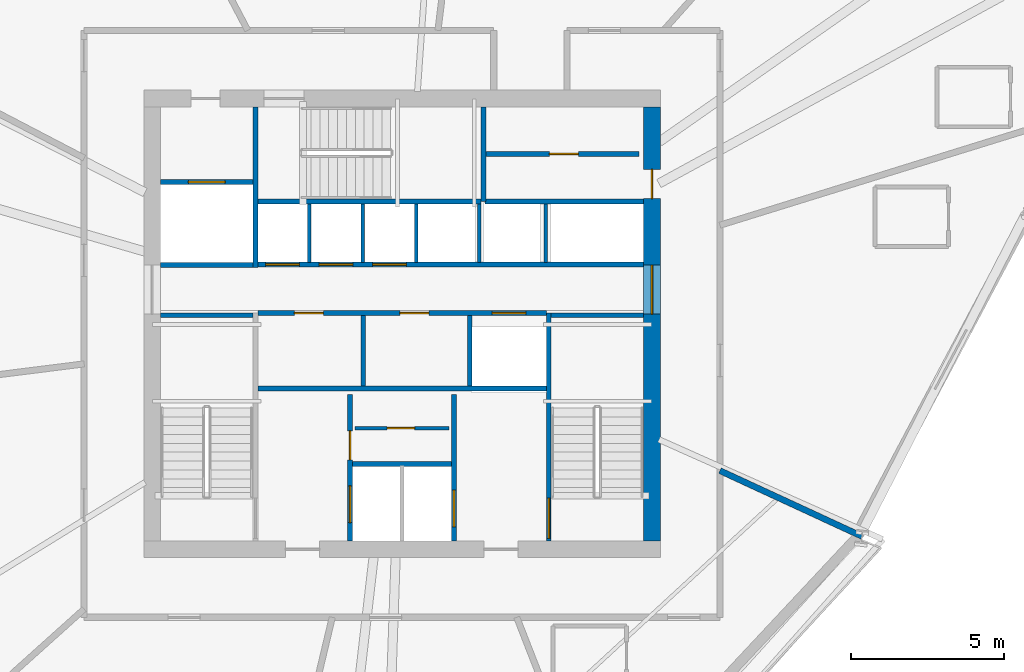
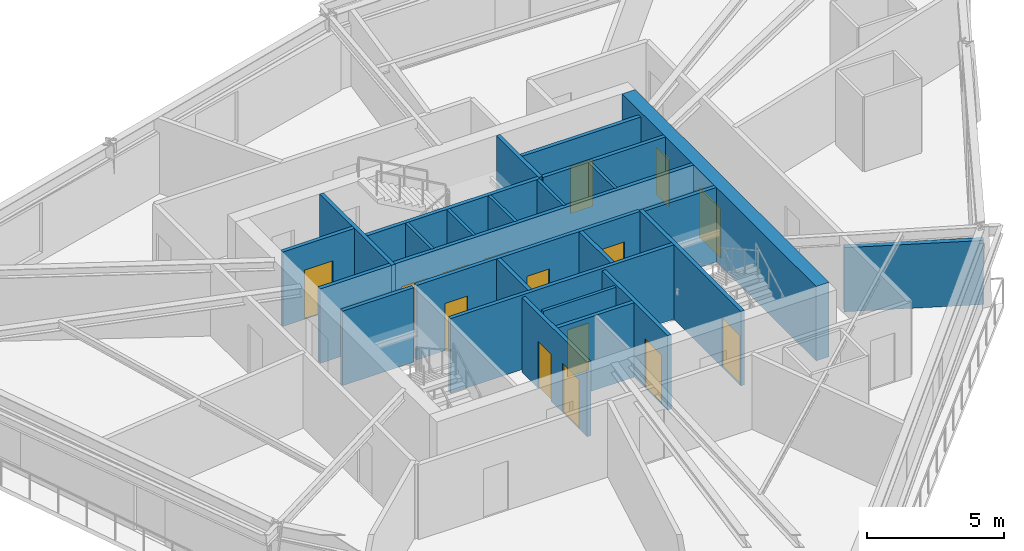
# One storey, part 10 of 15: 26 walls, 15 doors, 15 openings.
"""IFC4 building model written with IfcOpenShell, lengths in metres."""

from ifc_helpers import new_model, si_unit, direction, frame, frame_2d, origin, place, context, subcontext, project, spatial, rectangle, extrude, source, transform, mapped, material, layer, layer_set, type_object, type_shapes, element, fill, save


model = new_model("IFC4")

# Units and contexts
model_context = context("Model", 3, precision=1e-05, world=origin(), true_north=direction((0.0, 1.0)))
body_context = subcontext(model_context, "Body", "Model", "MODEL_VIEW")
ifc_project = project(units=[si_unit("LENGTHUNIT", "METRE"), si_unit("AREAUNIT", "SQUARE_METRE"), si_unit("VOLUMEUNIT", "CUBIC_METRE"), si_unit("PLANEANGLEUNIT", "RADIAN"), si_unit("MASSUNIT", "GRAM", prefix="KILO")], contexts=[model_context])

# Site, building, storey
site_placement = place(None, origin())
site = spatial("IfcSite", under=ifc_project, at=site_placement, CompositionType="ELEMENT")
building_placement = place(site_placement, origin())
building = spatial("IfcBuilding", under=site, at=building_placement, Name="Olszyna Solenne Hotel", CompositionType="ELEMENT")
storey_placement = place(building_placement, frame((0.0, 0.0, 160.800048828125)))
storey = spatial("IfcBuildingStorey", under=building, at=storey_placement, Name="L42", CompositionType="ELEMENT", Elevation=160.800048828125)

# Wall, openings, doors
ifc_material_1 = material(Name="Concrete C50/60", Category="concrete")
ifc_layer_1 = layer(ifc_material_1, 0.550048828125, Name="Concrete C50/60")
ifc_layer_set_1 = layer_set([ifc_layer_1], Name="Concrete C50/60")
wall_type_1 = type_object("IfcWallType", Name="WL-CR550", PredefinedType="SHEAR", material=ifc_layer_set_1)
wall_1_placement = place(storey_placement, frame((46.175048828125, 33.699951171875, 0.0), z_axis=(0.0, 0.0, 1.0), x_axis=(0.0, -1.0, 0.0)))
wall_1 = element("IfcWall", 1, at=wall_1_placement, inside=storey, type_object=wall_type_1, Name="Core shear wall WL-CR550 CRW-L42-E", PredefinedType="SHEAR", context=body_context, shape_type="SweptSolid", body=[
    extrude(rectangle(XDim=14.199951171875, YDim=0.550048828125, at=frame_2d((7.10009765625, 0.0))), origin(), (0.0, 0.0, 1.0), 3.329833984375),
])
opening_1_placement = place(wall_1_placement, frame((5.179931640625, 0.0, 0.0)))
opening_1 = element("IfcOpeningElement", 2, at=opening_1_placement, cuts=wall_1, Name="Opening LHD-L42-E", PredefinedType="OPENING", context=body_context, shape_type="SweptSolid", body=[
    extrude(rectangle(XDim=1.60009765625, YDim=2.199951171875, at=frame_2d((0.800048828125, 1.10009765625))), frame((0.0, 0.28515625, 0.0), z_axis=(0.0, -1.0, 0.0), x_axis=(1.0, 0.0, 0.0)), (0.0, 0.0, 1.0), 0.570068359375),
])
opening_2_placement = place(wall_1_placement, frame((2.050048828125, 0.0, 0.0)))
opening_2 = element("IfcOpeningElement", 3, at=opening_2_placement, cuts=wall_1, Name="Opening SVD-L42-BE", PredefinedType="OPENING", context=body_context, shape_type="SweptSolid", body=[
    extrude(rectangle(XDim=0.949951171875, YDim=2.10009765625, at=frame_2d((0.47509765625, 1.050048828125))), frame((0.0, 0.28515625, 0.0), z_axis=(0.0, -1.0, 0.0), x_axis=(1.0, 0.0, 0.0)), (0.0, 0.0, 1.0), 0.570068359375),
])
ifc_material_2 = material(Name="Steel S355J2", Category="steel")
door_type_1 = type_object("IfcDoorType", Name="DR-SV1", OperationType="NOTDEFINED", PredefinedType="DOOR", material=ifc_material_2)
shared_shape_1 = source(origin(), body_context, "Body", "SweptSolid", [
    extrude(rectangle(XDim=0.949951171875, YDim=2.10009765625, at=frame_2d((0.47509765625, 1.050048828125))), frame((0.0, 0.02490234375, 0.0), z_axis=(0.0, -1.0, 0.0), x_axis=(1.0, 0.0, 0.0)), (0.0, 0.0, 1.0), 0.050048828125),
])
type_shapes(door_type_1, [shared_shape_1])
door_1_placement = place(opening_2_placement, origin())
door_1 = element("IfcDoor", 4, at=door_1_placement, inside=storey, type_object=door_type_1, Name="Housekeeping core fire door SVD-L42-BE", OperationType="SINGLE_SWING_RIGHT", OverallHeight=2.10009765625, OverallWidth=0.949951171875, PredefinedType="DOOR", context=body_context, shape_type="MappedRepresentation", body=[
    mapped(shared_shape_1, transform((0.0, 0.0, 0.0), x_axis=(1.0, 0.0, 0.0), y_axis=(0.0, 1.0, 0.0), z_axis=(0.0, 0.0, 1.0), scale=1.0)),
])
fill(opening_2, door_1)
ifc_material_3 = material(Name="Timber hardwood", Category="wood")
door_type_2 = type_object("IfcDoorType", Name="DR-CR1", OperationType="DOUBLE_DOOR_SINGLE_SWING", PredefinedType="DOOR", material=ifc_material_3)
shared_shape_2 = source(origin(), body_context, "Body", "SweptSolid", [
    extrude(rectangle(XDim=1.60009765625, YDim=2.199951171875, at=frame_2d((0.800048828125, 1.10009765625))), frame((0.0, 0.02490234375, 0.0), z_axis=(0.0, -1.0, 0.0), x_axis=(1.0, 0.0, 0.0)), (0.0, 0.0, 1.0), 0.050048828125),
])
type_shapes(door_type_2, [shared_shape_2])
door_2_placement = place(opening_1_placement, origin())
door_2 = element("IfcDoor", 5, at=door_2_placement, inside=storey, type_object=door_type_2, Name="Passenger lift lobby East fire door LHD-L42-E", OperationType="DOUBLE_DOOR_SINGLE_SWING", OverallHeight=2.199951171875, OverallWidth=1.60009765625, PredefinedType="DOOR", context=body_context, shape_type="MappedRepresentation", body=[
    mapped(shared_shape_2, transform((0.0, 0.0, 0.0), x_axis=(1.0, 0.0, 0.0), y_axis=(0.0, 1.0, 0.0), z_axis=(0.0, 0.0, 1.0), scale=1.0)),
])
fill(opening_1, door_2)

# Wall, opening, door
ifc_material_4 = material(Name="Acoustic gypsum partition", Category="gypsum")
ifc_layer_2 = layer(ifc_material_4, 0.125, Name="Acoustic gypsum partition")
ifc_layer_set_2 = layer_set([ifc_layer_2], Name="Acoustic gypsum partition")
wall_type_2 = type_object("IfcWallType", Name="WL-PT125", PredefinedType="PARTITIONING", material=ifc_layer_set_2)
wall_2_placement = place(storey_placement, frame((36.4599609375, 23.18603515625, 0.0), z_axis=(0.0, 0.0, 1.0), x_axis=(1.0, 0.0, 0.0)))
wall_2 = element("IfcWall", 6, at=wall_2_placement, inside=storey, type_object=wall_type_2, Name="Core shaft compartment wall CW-L42-SC2", PredefinedType="PARTITIONING", context=body_context, shape_type="SweptSolid", body=[
    extrude(rectangle(XDim=3.080078125, YDim=0.125, at=frame_2d((1.5400390625, 0.0))), origin(), (0.0, 0.0, 1.0), 3.329833984375),
])
opening_3_placement = place(wall_2_placement, frame((1.050048828125, 0.0, 0.0)))
opening_3 = element("IfcOpeningElement", 7, at=opening_3_placement, cuts=wall_2, Name="Opening SVD-L42-SC2", PredefinedType="OPENING", context=body_context, shape_type="SweptSolid", body=[
    extrude(rectangle(XDim=0.89990234375, YDim=2.10009765625, at=frame_2d((0.449951171875, 1.050048828125))), frame((0.0, 0.072509765625, 0.0), z_axis=(0.0, -1.0, 0.0), x_axis=(1.0, 0.0, 0.0)), (0.0, 0.0, 1.0), 0.14501953125),
])
door_type_3 = type_object("IfcDoorType", Name="DR-WC1", OperationType="NOTDEFINED", PredefinedType="DOOR", material=ifc_material_3)
shared_shape_3 = source(origin(), body_context, "Body", "SweptSolid", [
    extrude(rectangle(XDim=0.89990234375, YDim=2.10009765625, at=frame_2d((0.449951171875, 1.050048828125))), frame((0.0, 0.02490234375, 0.0), z_axis=(0.0, -1.0, 0.0), x_axis=(1.0, 0.0, 0.0)), (0.0, 0.0, 1.0), 0.050048828125),
])
type_shapes(door_type_3, [shared_shape_3])
door_3_placement = place(opening_3_placement, origin())
door_3 = element("IfcDoor", 8, at=door_3_placement, inside=storey, type_object=door_type_3, Name="Butler pantry door SVD-L42-SC2", OperationType="SINGLE_SWING_RIGHT", OverallHeight=2.10009765625, OverallWidth=0.89990234375, PredefinedType="DOOR", context=body_context, shape_type="MappedRepresentation", body=[
    mapped(shared_shape_3, transform((0.0, 0.0, 0.0), x_axis=(1.0, 0.0, 0.0), y_axis=(0.0, 1.0, 0.0), z_axis=(0.0, 0.0, 1.0), scale=1.0)),
])
fill(opening_3, door_3)

# Walls
for number, where, z_axis, x_axis, name in (
    (9, (34.965087890625, 28.60009765625, 0.0), (0.0, 0.0, 1.0), (0.0, 1.0, 0.0), "Core shaft compartment wall CW-L42-DIVN349"),
    (10, (36.715087890625, 28.60009765625, 0.0), (0.0, 0.0, 1.0), (0.0, 1.0, 0.0), "Core shaft compartment wall CW-L42-DIVN367"),
    (11, (38.465087890625, 28.60009765625, 0.0), (0.0, 0.0, 1.0), (0.0, 1.0, 0.0), "Core shaft compartment wall CW-L42-DIVN384"),
    (12, (40.52490234375, 28.60009765625, 0.0), (0.0, 0.0, 1.0), (0.0, 1.0, 0.0), "Core shaft compartment wall CW-L42-DIVEX405"),
    (13, (42.699951171875, 28.60009765625, 0.0), (0.0, 0.0, 1.0), (0.0, 1.0, 0.0), "Core shaft compartment wall CW-L42-DIVEX427"),
):
    element("IfcWall", number, at=place(storey_placement, frame(where, z_axis=z_axis, x_axis=x_axis)), inside=storey, type_object=wall_type_2, Name=name, PredefinedType="PARTITIONING", context=body_context, shape_type="SweptSolid", body=[
        extrude(rectangle(XDim=1.919921875, YDim=0.125, at=frame_2d((0.9599609375, 0.0))), origin(), (0.0, 0.0, 1.0), 3.329833984375),
    ])
ifc_layer_3 = layer(ifc_material_4, 0.159912109375, Name="Acoustic gypsum partition")
ifc_layer_set_3 = layer_set([ifc_layer_3], Name="Acoustic gypsum partition")
wall_type_3 = type_object("IfcWallType", Name="WL-PT160", PredefinedType="PARTITIONING", material=ifc_layer_set_3)
wall_3_placement = place(storey_placement, frame((30.10009765625, 26.8798828125, 0.0), z_axis=(0.0, 0.0, 1.0), x_axis=(1.0, 0.0, 0.0)))
element("IfcWall", 14, at=wall_3_placement, inside=storey, type_object=wall_type_3, Name="Core shaft compartment wall CW-L42-ST1N", PredefinedType="PARTITIONING", context=body_context, shape_type="SweptSolid", body=[
    extrude(rectangle(XDim=3.02001953125, YDim=0.159912109375, at=frame_2d((1.510009765625, 0.0))), origin(), (0.0, 0.0, 1.0), 3.329833984375),
])

# Wall, opening, door
wall_4_placement = place(storey_placement, frame((42.800048828125, 26.9599609375, 0.0), z_axis=(0.0, 0.0, 1.0), x_axis=(0.0, -1.0, 0.0)))
wall_4 = element("IfcWall", 15, at=wall_4_placement, inside=storey, type_object=wall_type_3, Name="Core shaft compartment wall CW-L42-ST2W", PredefinedType="PARTITIONING", context=body_context, shape_type="SweptSolid", body=[
    extrude(rectangle(XDim=7.4599609375, YDim=0.159912109375, at=frame_2d((3.72998046875, 0.0))), origin(), (0.0, 0.0, 1.0), 3.329833984375),
])
opening_4_placement = place(wall_4_placement, frame((6.06005859375, 0.0, 0.0)))
opening_4 = element("IfcOpeningElement", 16, at=opening_4_placement, cuts=wall_4, Name="Opening STD-L42-02", PredefinedType="OPENING", context=body_context, shape_type="SweptSolid", body=[
    extrude(rectangle(XDim=1.320068359375, YDim=2.199951171875, at=frame_2d((0.66015625, 1.10009765625))), frame((0.0, 0.08984375, 0.0), z_axis=(0.0, -1.0, 0.0), x_axis=(1.0, 0.0, 0.0)), (0.0, 0.0, 1.0), 0.179931640625),
])
door_type_4 = type_object("IfcDoorType", Name="DR-ST1", OperationType="NOTDEFINED", PredefinedType="DOOR", material=ifc_material_2)
shared_shape_4 = source(origin(), body_context, "Body", "SweptSolid", [
    extrude(rectangle(XDim=1.320068359375, YDim=2.199951171875, at=frame_2d((0.66015625, 1.10009765625))), frame((0.0, 0.02490234375, 0.0), z_axis=(0.0, -1.0, 0.0), x_axis=(1.0, 0.0, 0.0)), (0.0, 0.0, 1.0), 0.050048828125),
])
type_shapes(door_type_4, [shared_shape_4])
door_4_placement = place(opening_4_placement, origin())
door_4 = element("IfcDoor", 17, at=door_4_placement, inside=storey, type_object=door_type_4, Name="Pressurised exit stair ST2 fire door STD-L42-02", OperationType="SINGLE_SWING_RIGHT", OverallHeight=2.199951171875, OverallWidth=1.320068359375, PredefinedType="DOOR", context=body_context, shape_type="MappedRepresentation", body=[
    mapped(shared_shape_4, transform((0.0, 0.0, 0.0), x_axis=(1.0, 0.0, 0.0), y_axis=(0.0, 1.0, 0.0), z_axis=(0.0, 0.0, 1.0), scale=1.0)),
])
fill(opening_4, door_4)

# Walls
wall_5_placement = place(storey_placement, frame((42.8798828125, 26.8798828125, 0.0), z_axis=(0.0, 0.0, 1.0), x_axis=(1.0, 0.0, 0.0)))
element("IfcWall", 18, at=wall_5_placement, inside=storey, type_object=wall_type_3, Name="Core shaft compartment wall CW-L42-ST2N", PredefinedType="PARTITIONING", context=body_context, shape_type="SweptSolid", body=[
    extrude(rectangle(XDim=3.02001953125, YDim=0.159912109375, at=frame_2d((1.510009765625, 0.0))), origin(), (0.0, 0.0, 1.0), 3.329833984375),
])
wall_6_placement = place(storey_placement, frame((33.280029296875, 30.60009765625, 0.0), z_axis=(0.0, 0.0, 1.0), x_axis=(1.0, 0.0, 0.0)))
element("IfcWall", 19, at=wall_6_placement, inside=storey, type_object=wall_type_3, Name="Core shaft compartment wall CW-L42-ST3S", PredefinedType="PARTITIONING", context=body_context, shape_type="SweptSolid", body=[
    extrude(rectangle(XDim=7.300048828125, YDim=0.159912109375, at=frame_2d((3.64990234375, 0.0))), origin(), (0.0, 0.0, 1.0), 3.329833984375),
])
wall_7_placement = place(storey_placement, frame((40.659912109375, 30.60009765625, 0.0), z_axis=(0.0, 0.0, 1.0), x_axis=(0.0, 1.0, 0.0)))
element("IfcWall", 20, at=wall_7_placement, inside=storey, type_object=wall_type_3, Name="Core shaft compartment wall CW-L42-ST3E", PredefinedType="PARTITIONING", context=body_context, shape_type="SweptSolid", body=[
    extrude(rectangle(XDim=3.099853515625, YDim=0.159912109375, at=frame_2d((1.5498046875, 0.0))), origin(), (0.0, 0.0, 1.0), 3.329833984375),
])

# Wall, openings, doors
wall_8_placement = place(storey_placement, frame((36.300048828125, 19.5, 0.0), z_axis=(0.0, 0.0, 1.0), x_axis=(0.0, 1.0, 0.0)))
wall_8 = element("IfcWall", 21, at=wall_8_placement, inside=storey, type_object=wall_type_3, Name="Core shaft compartment wall CW-L42-FF1W", PredefinedType="PARTITIONING", context=body_context, shape_type="SweptSolid", body=[
    extrude(rectangle(XDim=4.780029296875, YDim=0.159912109375, at=frame_2d((2.39013671875, 0.0))), origin(), (0.0, 0.0, 1.0), 3.329833984375),
])
opening_5_placement = place(wall_8_placement, frame((0.60009765625, 0.0, 0.0)))
opening_5 = element("IfcOpeningElement", 22, at=opening_5_placement, cuts=wall_8, Name="Opening LD-L42-FF1", PredefinedType="OPENING", context=body_context, shape_type="SweptSolid", body=[
    extrude(rectangle(XDim=1.199951171875, YDim=2.199951171875, at=frame_2d((0.60009765625, 1.10009765625))), frame((0.0, 0.08984375, 0.0), z_axis=(0.0, -1.0, 0.0), x_axis=(1.0, 0.0, 0.0)), (0.0, 0.0, 1.0), 0.179931640625),
])
opening_6_placement = place(wall_8_placement, frame((2.64990234375, 0.0, 0.0)))
opening_6 = element("IfcOpeningElement", 23, at=opening_6_placement, cuts=wall_8, Name="Opening SVD-L42-SMK", PredefinedType="OPENING", context=body_context, shape_type="SweptSolid", body=[
    extrude(rectangle(XDim=0.949951171875, YDim=2.10009765625, at=frame_2d((0.47509765625, 1.050048828125))), frame((0.0, 0.08984375, 0.0), z_axis=(0.0, -1.0, 0.0), x_axis=(1.0, 0.0, 0.0)), (0.0, 0.0, 1.0), 0.179931640625),
])
door_5_placement = place(opening_6_placement, origin())
door_5 = element("IfcDoor", 24, at=door_5_placement, inside=storey, type_object=door_type_1, Name="Valet and core service room door SVD-L42-SMK", OperationType="SINGLE_SWING_LEFT", OverallHeight=2.10009765625, OverallWidth=0.949951171875, PredefinedType="DOOR", context=body_context, shape_type="MappedRepresentation", body=[
    mapped(shared_shape_1, transform((0.0, 0.0, 0.0), x_axis=(1.0, 0.0, 0.0), y_axis=(0.0, 1.0, 0.0), z_axis=(0.0, 0.0, 1.0), scale=1.0)),
])
fill(opening_6, door_5)
door_type_5 = type_object("IfcDoorType", Name="LD-FF1", OperationType="DOUBLE_DOOR_SLIDING", PredefinedType="DOOR", material=ifc_material_2)
shared_shape_5 = source(origin(), body_context, "Body", "SweptSolid", [
    extrude(rectangle(XDim=1.199951171875, YDim=2.199951171875, at=frame_2d((0.60009765625, 1.10009765625))), frame((0.0, 0.02490234375, 0.0), z_axis=(0.0, -1.0, 0.0), x_axis=(1.0, 0.0, 0.0)), (0.0, 0.0, 1.0), 0.050048828125),
])
type_shapes(door_type_5, [shared_shape_5])
door_6_placement = place(opening_5_placement, origin())
door_6 = element("IfcDoor", 25, at=door_6_placement, inside=storey, type_object=door_type_5, Name="Firefighters lift FF1 sliding landing door LD-L42-FF1", OperationType="DOUBLE_DOOR_SLIDING", OverallHeight=2.199951171875, OverallWidth=1.199951171875, PredefinedType="DOOR", context=body_context, shape_type="MappedRepresentation", body=[
    mapped(shared_shape_5, transform((0.0, 0.0, 0.0), x_axis=(1.0, 0.0, 0.0), y_axis=(0.0, 1.0, 0.0), z_axis=(0.0, 0.0, 1.0), scale=1.0)),
])
fill(opening_5, door_6)

# Wall, opening, door
wall_9_placement = place(storey_placement, frame((39.699951171875, 24.280029296875, 0.0), z_axis=(0.0, 0.0, 1.0), x_axis=(0.0, -1.0, 0.0)))
wall_9 = element("IfcWall", 26, at=wall_9_placement, inside=storey, type_object=wall_type_3, Name="Core shaft compartment wall CW-L42-FF2E", PredefinedType="PARTITIONING", context=body_context, shape_type="SweptSolid", body=[
    extrude(rectangle(XDim=4.780029296875, YDim=0.159912109375, at=frame_2d((2.39013671875, 0.0))), origin(), (0.0, 0.0, 1.0), 3.329833984375),
])
opening_7_placement = place(wall_9_placement, frame((3.1201171875, 0.0, 0.0)))
opening_7 = element("IfcOpeningElement", 27, at=opening_7_placement, cuts=wall_9, Name="Opening LD-L42-FF2", PredefinedType="OPENING", context=body_context, shape_type="SweptSolid", body=[
    extrude(rectangle(XDim=1.199951171875, YDim=2.199951171875, at=frame_2d((0.60009765625, 1.10009765625))), frame((0.0, 0.08984375, 0.0), z_axis=(0.0, -1.0, 0.0), x_axis=(1.0, 0.0, 0.0)), (0.0, 0.0, 1.0), 0.179931640625),
])
door_7_placement = place(opening_7_placement, origin())
door_7 = element("IfcDoor", 28, at=door_7_placement, inside=storey, type_object=door_type_5, Name="Firefighters lift FF2 sliding landing door LD-L42-FF2", OperationType="DOUBLE_DOOR_SLIDING", OverallHeight=2.199951171875, OverallWidth=1.199951171875, PredefinedType="DOOR", context=body_context, shape_type="MappedRepresentation", body=[
    mapped(shared_shape_5, transform((0.0, 0.0, 0.0), x_axis=(1.0, 0.0, 0.0), y_axis=(0.0, 1.0, 0.0), z_axis=(0.0, 0.0, 1.0), scale=1.0)),
])
fill(opening_7, door_7)

# Walls
wall_10_placement = place(storey_placement, frame((36.3798828125, 22.02001953125, 0.0), z_axis=(0.0, 0.0, 1.0), x_axis=(1.0, 0.0, 0.0)))
element("IfcWall", 29, at=wall_10_placement, inside=storey, type_object=wall_type_3, Name="Core shaft compartment wall CW-L42-FFN", PredefinedType="PARTITIONING", context=body_context, shape_type="SweptSolid", body=[
    extrude(rectangle(XDim=3.240234375, YDim=0.159912109375, at=frame_2d((1.6201171875, 0.0))), origin(), (0.0, 0.0, 1.0), 3.329833984375),
])
wall_11_placement = place(storey_placement, frame((33.280029296875, 24.489990234375, 0.0), z_axis=(0.0, 0.0, 1.0), x_axis=(1.0, 0.0, 0.0)))
element("IfcWall", 30, at=wall_11_placement, inside=storey, type_object=wall_type_3, Name="Core shaft compartment wall CW-L42-FFBN", PredefinedType="PARTITIONING", context=body_context, shape_type="SweptSolid", body=[
    extrude(rectangle(XDim=9.43994140625, YDim=0.159912109375, at=frame_2d((4.719970703125, 0.0))), origin(), (0.0, 0.0, 1.0), 3.329833984375),
])
wall_12_placement = place(storey_placement, frame((30.10009765625, 28.52001953125, 0.0), z_axis=(0.0, 0.0, 1.0), x_axis=(1.0, 0.0, 0.0)))
element("IfcWall", 31, at=wall_12_placement, inside=storey, type_object=wall_type_3, Name="Core shaft compartment wall CW-L42-SV1S", PredefinedType="PARTITIONING", context=body_context, shape_type="SweptSolid", body=[
    extrude(rectangle(XDim=3.02001953125, YDim=0.159912109375, at=frame_2d((1.510009765625, 0.0))), origin(), (0.0, 0.0, 1.0), 3.329833984375),
])
wall_13_placement = place(storey_placement, frame((33.199951171875, 28.43994140625, 0.0), z_axis=(0.0, 0.0, 1.0), x_axis=(0.0, 1.0, 0.0)))
element("IfcWall", 32, at=wall_13_placement, inside=storey, type_object=wall_type_3, Name="Core shaft compartment wall CW-L42-SV1E", PredefinedType="PARTITIONING", context=body_context, shape_type="SweptSolid", body=[
    extrude(rectangle(XDim=5.260009765625, YDim=0.159912109375, at=frame_2d((2.6298828125, 0.0))), origin(), (0.0, 0.0, 1.0), 3.329833984375),
])

# Wall, opening, door
wall_14_placement = place(storey_placement, frame((30.10009765625, 31.239990234375, 0.0), z_axis=(0.0, 0.0, 1.0), x_axis=(1.0, 0.0, 0.0)))
wall_14 = element("IfcWall", 33, at=wall_14_placement, inside=storey, type_object=wall_type_3, Name="Core shaft compartment wall CW-L42-SV1N", PredefinedType="PARTITIONING", context=body_context, shape_type="SweptSolid", body=[
    extrude(rectangle(XDim=3.02001953125, YDim=0.159912109375, at=frame_2d((1.510009765625, 0.0))), origin(), (0.0, 0.0, 1.0), 3.329833984375),
])
opening_8_placement = place(wall_14_placement, frame((0.909912109375, 0.0, 0.0)))
opening_8 = element("IfcOpeningElement", 34, at=opening_8_placement, cuts=wall_14, Name="Opening LD-L42-SV1", PredefinedType="OPENING", context=body_context, shape_type="SweptSolid", body=[
    extrude(rectangle(XDim=1.199951171875, YDim=2.199951171875, at=frame_2d((0.60009765625, 1.10009765625))), frame((0.0, 0.08984375, 0.0), z_axis=(0.0, -1.0, 0.0), x_axis=(1.0, 0.0, 0.0)), (0.0, 0.0, 1.0), 0.179931640625),
])
door_8_placement = place(opening_8_placement, origin())
door_8 = element("IfcDoor", 35, at=door_8_placement, inside=storey, type_object=door_type_5, Name="Service lift SV1 sliding landing door LD-L42-SV1", OperationType="DOUBLE_DOOR_SLIDING", OverallHeight=2.199951171875, OverallWidth=1.199951171875, PredefinedType="DOOR", context=body_context, shape_type="MappedRepresentation", body=[
    mapped(shared_shape_5, transform((0.0, 0.0, 0.0), x_axis=(1.0, 0.0, 0.0), y_axis=(0.0, 1.0, 0.0), z_axis=(0.0, 0.0, 1.0), scale=1.0)),
])
fill(opening_8, door_8)

# Wall, openings, doors
wall_15_placement = place(storey_placement, frame((33.280029296875, 26.949951171875, 0.0), z_axis=(0.0, 0.0, 1.0), x_axis=(1.0, 0.0, 0.0)))
wall_15 = element("IfcWall", 36, at=wall_15_placement, inside=storey, type_object=wall_type_3, Name="Core shaft compartment wall CW-L42-LRS", PredefinedType="PARTITIONING", context=body_context, shape_type="SweptSolid", body=[
    extrude(rectangle(XDim=9.43994140625, YDim=0.159912109375, at=frame_2d((4.719970703125, 0.0))), origin(), (0.0, 0.0, 1.0), 3.329833984375),
])
opening_9_placement = place(wall_15_placement, frame((1.199951171875, 0.0, 0.0)))
opening_9 = element("IfcOpeningElement", 37, at=opening_9_placement, cuts=wall_15, Name="Opening SVD-L42-L71", PredefinedType="OPENING", context=body_context, shape_type="SweptSolid", body=[
    extrude(rectangle(XDim=0.949951171875, YDim=2.10009765625, at=frame_2d((0.47509765625, 1.050048828125))), frame((0.0, 0.08984375, 0.0), z_axis=(0.0, -1.0, 0.0), x_axis=(1.0, 0.0, 0.0)), (0.0, 0.0, 1.0), 0.179931640625),
])
opening_10_placement = place(wall_15_placement, frame((4.64990234375, 0.0, 0.0)))
opening_10 = element("IfcOpeningElement", 38, at=opening_10_placement, cuts=wall_15, Name="Opening SVD-L42-L72", PredefinedType="OPENING", context=body_context, shape_type="SweptSolid", body=[
    extrude(rectangle(XDim=0.949951171875, YDim=2.10009765625, at=frame_2d((0.47509765625, 1.050048828125))), frame((0.0, 0.08984375, 0.0), z_axis=(0.0, -1.0, 0.0), x_axis=(1.0, 0.0, 0.0)), (0.0, 0.0, 1.0), 0.179931640625),
])
opening_11_placement = place(wall_15_placement, frame((7.669921875, 0.0, 0.0)))
opening_11 = element("IfcOpeningElement", 39, at=opening_11_placement, cuts=wall_15, Name="Opening LD-L42-PL5", PredefinedType="OPENING", context=body_context, shape_type="SweptSolid", body=[
    extrude(rectangle(XDim=1.10009765625, YDim=2.199951171875, at=frame_2d((0.550048828125, 1.10009765625))), frame((0.0, 0.08984375, 0.0), z_axis=(0.0, -1.0, 0.0), x_axis=(1.0, 0.0, 0.0)), (0.0, 0.0, 1.0), 0.179931640625),
])
door_9_placement = place(opening_9_placement, origin())
door_9 = element("IfcDoor", 40, at=door_9_placement, inside=storey, type_object=door_type_1, Name="Recaptured core room fire door SVD-L42-L71", OperationType="SINGLE_SWING_LEFT", OverallHeight=2.10009765625, OverallWidth=0.949951171875, PredefinedType="DOOR", context=body_context, shape_type="MappedRepresentation", body=[
    mapped(shared_shape_1, transform((0.0, 0.0, 0.0), x_axis=(1.0, 0.0, 0.0), y_axis=(0.0, 1.0, 0.0), z_axis=(0.0, 0.0, 1.0), scale=1.0)),
])
fill(opening_9, door_9)
door_10_placement = place(opening_10_placement, origin())
door_10 = element("IfcDoor", 41, at=door_10_placement, inside=storey, type_object=door_type_1, Name="Recaptured core room fire door SVD-L42-L72", OperationType="SINGLE_SWING_RIGHT", OverallHeight=2.10009765625, OverallWidth=0.949951171875, PredefinedType="DOOR", context=body_context, shape_type="MappedRepresentation", body=[
    mapped(shared_shape_1, transform((0.0, 0.0, 0.0), x_axis=(1.0, 0.0, 0.0), y_axis=(0.0, 1.0, 0.0), z_axis=(0.0, 0.0, 1.0), scale=1.0)),
])
fill(opening_10, door_10)
door_type_6 = type_object("IfcDoorType", Name="LD-P1", OperationType="DOUBLE_DOOR_SLIDING", PredefinedType="DOOR", material=ifc_material_2)
shared_shape_6 = source(origin(), body_context, "Body", "SweptSolid", [
    extrude(rectangle(XDim=1.10009765625, YDim=2.199951171875, at=frame_2d((0.550048828125, 1.10009765625))), frame((0.0, 0.02490234375, 0.0), z_axis=(0.0, -1.0, 0.0), x_axis=(1.0, 0.0, 0.0)), (0.0, 0.0, 1.0), 0.050048828125),
])
type_shapes(door_type_6, [shared_shape_6])
door_11_placement = place(opening_11_placement, origin())
door_11 = element("IfcDoor", 42, at=door_11_placement, inside=storey, type_object=door_type_6, Name="Passenger lift PL5 sliding landing door LD-L42-PL5", OperationType="DOUBLE_DOOR_SLIDING", OverallHeight=2.199951171875, OverallWidth=1.10009765625, PredefinedType="DOOR", context=body_context, shape_type="MappedRepresentation", body=[
    mapped(shared_shape_6, transform((0.0, 0.0, 0.0), x_axis=(1.0, 0.0, 0.0), y_axis=(0.0, 1.0, 0.0), z_axis=(0.0, 0.0, 1.0), scale=1.0)),
])
fill(opening_11, door_11)

# Walls
for number, where, z_axis, x_axis, name in (
    (43, (36.72998046875, 24.56005859375, 0.0), (0.0, 0.0, 1.0), (0.0, 1.0, 0.0), "Core shaft compartment wall CW-L42-LV7DIV1"),
    (44, (40.215087890625, 24.56005859375, 0.0), (0.0, 0.0, 1.0), (0.0, 1.0, 0.0), "Core shaft compartment wall CW-L42-LV7DIV2"),
):
    element("IfcWall", number, at=place(storey_placement, frame(where, z_axis=z_axis, x_axis=x_axis)), inside=storey, type_object=wall_type_3, Name=name, PredefinedType="PARTITIONING", context=body_context, shape_type="SweptSolid", body=[
        extrude(rectangle(XDim=2.31005859375, YDim=0.159912109375, at=frame_2d((1.155029296875, 0.0))), origin(), (0.0, 0.0, 1.0), 3.329833984375),
    ])

# Wall, openings, doors
wall_16_placement = place(storey_placement, frame((33.280029296875, 28.5400390625, 0.0), z_axis=(0.0, 0.0, 1.0), x_axis=(1.0, 0.0, 0.0)))
wall_16 = element("IfcWall", 45, at=wall_16_placement, inside=storey, type_object=wall_type_3, Name="Core shaft compartment wall CW-L42-LRN", PredefinedType="PARTITIONING", context=body_context, shape_type="SweptSolid", body=[
    extrude(rectangle(XDim=12.619873046875, YDim=0.159912109375, at=frame_2d((6.31005859375, 0.0))), origin(), (0.0, 0.0, 1.0), 3.329833984375),
])
opening_12_placement = place(wall_16_placement, frame((0.260009765625, 0.0, 0.0)))
opening_12 = element("IfcOpeningElement", 46, at=opening_12_placement, cuts=wall_16, Name="Opening LD-L42-PL6", PredefinedType="OPENING", context=body_context, shape_type="SweptSolid", body=[
    extrude(rectangle(XDim=1.10009765625, YDim=2.199951171875, at=frame_2d((0.550048828125, 1.10009765625))), frame((0.0, 0.08984375, 0.0), z_axis=(0.0, -1.0, 0.0), x_axis=(1.0, 0.0, 0.0)), (0.0, 0.0, 1.0), 0.179931640625),
])
opening_13_placement = place(wall_16_placement, frame((2.010009765625, 0.0, 0.0)))
opening_13 = element("IfcOpeningElement", 47, at=opening_13_placement, cuts=wall_16, Name="Opening LD-L42-PL7", PredefinedType="OPENING", context=body_context, shape_type="SweptSolid", body=[
    extrude(rectangle(XDim=1.10009765625, YDim=2.199951171875, at=frame_2d((0.550048828125, 1.10009765625))), frame((0.0, 0.08984375, 0.0), z_axis=(0.0, -1.0, 0.0), x_axis=(1.0, 0.0, 0.0)), (0.0, 0.0, 1.0), 0.179931640625),
])
opening_14_placement = place(wall_16_placement, frame((3.760009765625, 0.0, 0.0)))
opening_14 = element("IfcOpeningElement", 48, at=opening_14_placement, cuts=wall_16, Name="Opening LD-L42-PL8", PredefinedType="OPENING", context=body_context, shape_type="SweptSolid", body=[
    extrude(rectangle(XDim=1.10009765625, YDim=2.199951171875, at=frame_2d((0.550048828125, 1.10009765625))), frame((0.0, 0.08984375, 0.0), z_axis=(0.0, -1.0, 0.0), x_axis=(1.0, 0.0, 0.0)), (0.0, 0.0, 1.0), 0.179931640625),
])
door_12_placement = place(opening_12_placement, origin())
door_12 = element("IfcDoor", 49, at=door_12_placement, inside=storey, type_object=door_type_6, Name="Passenger lift PL6 sliding landing door LD-L42-PL6", OperationType="DOUBLE_DOOR_SLIDING", OverallHeight=2.199951171875, OverallWidth=1.10009765625, PredefinedType="DOOR", context=body_context, shape_type="MappedRepresentation", body=[
    mapped(shared_shape_6, transform((0.0, 0.0, 0.0), x_axis=(1.0, 0.0, 0.0), y_axis=(0.0, 1.0, 0.0), z_axis=(0.0, 0.0, 1.0), scale=1.0)),
])
fill(opening_12, door_12)
door_13_placement = place(opening_13_placement, origin())
door_13 = element("IfcDoor", 50, at=door_13_placement, inside=storey, type_object=door_type_6, Name="Passenger lift PL7 sliding landing door LD-L42-PL7", OperationType="DOUBLE_DOOR_SLIDING", OverallHeight=2.199951171875, OverallWidth=1.10009765625, PredefinedType="DOOR", context=body_context, shape_type="MappedRepresentation", body=[
    mapped(shared_shape_6, transform((0.0, 0.0, 0.0), x_axis=(1.0, 0.0, 0.0), y_axis=(0.0, 1.0, 0.0), z_axis=(0.0, 0.0, 1.0), scale=1.0)),
])
fill(opening_13, door_13)
door_14_placement = place(opening_14_placement, origin())
door_14 = element("IfcDoor", 51, at=door_14_placement, inside=storey, type_object=door_type_6, Name="Passenger lift PL8 sliding landing door LD-L42-PL8", OperationType="DOUBLE_DOOR_SLIDING", OverallHeight=2.199951171875, OverallWidth=1.10009765625, PredefinedType="DOOR", context=body_context, shape_type="MappedRepresentation", body=[
    mapped(shared_shape_6, transform((0.0, 0.0, 0.0), x_axis=(1.0, 0.0, 0.0), y_axis=(0.0, 1.0, 0.0), z_axis=(0.0, 0.0, 1.0), scale=1.0)),
])
fill(opening_14, door_14)

# Wall
wall_17_placement = place(storey_placement, frame((40.719970703125, 30.60009765625, 0.0), z_axis=(0.0, 0.0, 1.0), x_axis=(1.0, 0.0, 0.0)))
element("IfcWall", 52, at=wall_17_placement, inside=storey, type_object=wall_type_3, Name="Core shaft compartment wall CW-L42-LRNTOP", PredefinedType="PARTITIONING", context=body_context, shape_type="SweptSolid", body=[
    extrude(rectangle(XDim=5.179931640625, YDim=0.159912109375, at=frame_2d((2.58984375, 0.0))), origin(), (0.0, 0.0, 1.0), 3.329833984375),
])

# Wall, opening, door
wall_18_placement = place(storey_placement, frame((40.719970703125, 32.157958984375, 0.0), z_axis=(0.0, 0.0, 1.0), x_axis=(1.0, 0.0, 0.0)))
wall_18 = element("IfcWall", 53, at=wall_18_placement, inside=storey, type_object=wall_type_3, Name="Core shaft compartment wall CW-L42-BOH2", PredefinedType="PARTITIONING", context=body_context, shape_type="SweptSolid", body=[
    extrude(rectangle(XDim=5.030029296875, YDim=0.159912109375, at=frame_2d((2.51513671875, 0.0))), origin(), (0.0, 0.0, 1.0), 3.329833984375),
])
opening_15_placement = place(wall_18_placement, frame((2.10009765625, 0.0, 0.0)))
opening_15 = element("IfcOpeningElement", 54, at=opening_15_placement, cuts=wall_18, Name="Opening SVD-L42-BI2", PredefinedType="OPENING", context=body_context, shape_type="SweptSolid", body=[
    extrude(rectangle(XDim=0.949951171875, YDim=2.10009765625, at=frame_2d((0.47509765625, 1.050048828125))), frame((0.0, 0.08984375, 0.0), z_axis=(0.0, -1.0, 0.0), x_axis=(1.0, 0.0, 0.0)), (0.0, 0.0, 1.0), 0.179931640625),
])
door_15_placement = place(opening_15_placement, origin())
door_15 = element("IfcDoor", 55, at=door_15_placement, inside=storey, type_object=door_type_1, Name="BOH inter-room fire door SVD-L42-BI2", OperationType="SINGLE_SWING_RIGHT", OverallHeight=2.10009765625, OverallWidth=0.949951171875, PredefinedType="DOOR", context=body_context, shape_type="MappedRepresentation", body=[
    mapped(shared_shape_1, transform((0.0, 0.0, 0.0), x_axis=(1.0, 0.0, 0.0), y_axis=(0.0, 1.0, 0.0), z_axis=(0.0, 0.0, 1.0), scale=1.0)),
])
fill(opening_15, door_15)

# Wall
ifc_layer_4 = layer(ifc_material_4, 0.199951171875, Name="Acoustic gypsum partition")
ifc_layer_set_4 = layer_set([ifc_layer_4], Name="Acoustic gypsum partition")
wall_type_4 = type_object("IfcWallType", Name="WL-PT200", PredefinedType="PARTITIONING", material=ifc_layer_set_4)
wall_19_placement = place(storey_placement, frame((48.39990234375, 21.79541015625, 0.0), z_axis=(0.0, 0.0, 1.0), x_axis=(0.907789198347, -0.419426717515, 0.0)))
element("IfcWall", 56, at=wall_19_placement, inside=storey, type_object=wall_type_4, Name="Interior acoustic partition WL-PT200 PW-L42-2372", PredefinedType="PARTITIONING", context=body_context, shape_type="SweptSolid", body=[
    extrude(rectangle(XDim=5.124755859375, YDim=0.199951171875, at=frame_2d((2.5625, 0.0))), origin(), (0.0, 0.0, 1.0), 2.864990234375),
])

save(model, "model.ifc")
